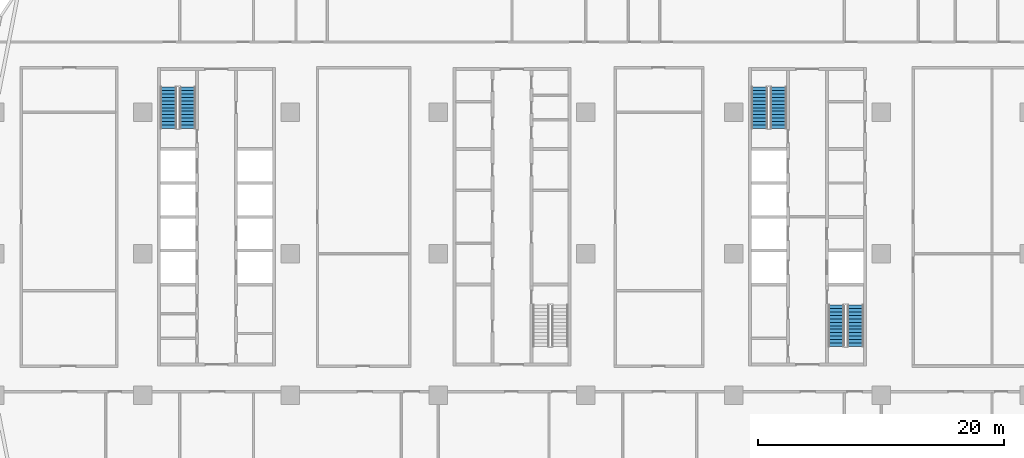
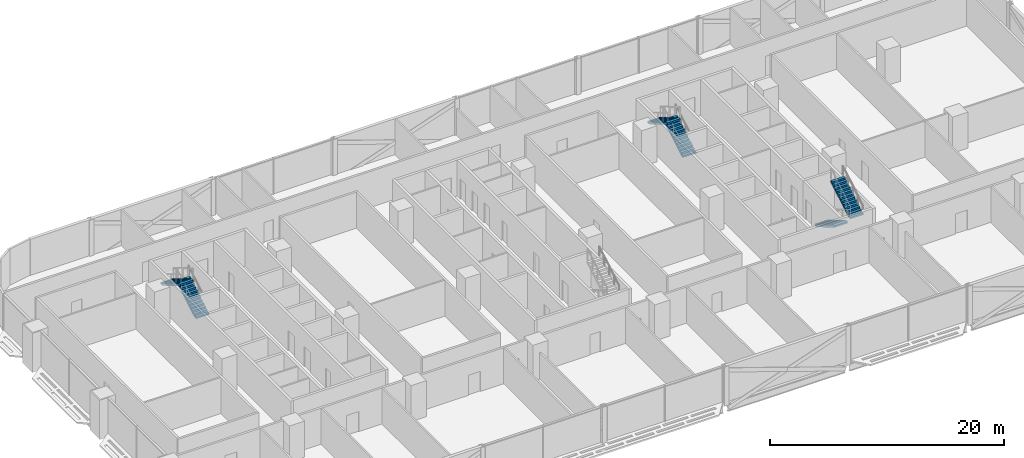
# One storey, part 18 of 29: 6 stair flights, 3 elements without a shape of their own.
"""IFC4 building model written with IfcOpenShell, lengths in metres."""

from ifc_helpers import new_model, si_unit, direction, frame, origin, place, context, subcontext, project, spatial, polyline, outline, extrude, material, type_object, element, aggregate, save


model = new_model("IFC4")

# Units and contexts
model_context = context("Model", 3, precision=1e-05, world=origin(), true_north=direction((0.0, 1.0)))
body_context = subcontext(model_context, "Body", "Model", "MODEL_VIEW")
ifc_project = project(units=[si_unit("LENGTHUNIT", "METRE"), si_unit("AREAUNIT", "SQUARE_METRE"), si_unit("VOLUMEUNIT", "CUBIC_METRE"), si_unit("PLANEANGLEUNIT", "RADIAN"), si_unit("MASSUNIT", "GRAM", prefix="KILO")], contexts=[model_context])

# Site, building, storey
site_placement = place(None, origin())
site = spatial("IfcSite", under=ifc_project, at=site_placement, CompositionType="ELEMENT")
building_placement = place(site_placement, origin())
building = spatial("IfcBuilding", under=site, at=building_placement, Name="Mahtab Terrace Research Tower", CompositionType="ELEMENT")
storey_placement = place(building_placement, frame((0.0, 0.0, 76.10009765625)))
storey = spatial("IfcBuildingStorey", under=building, at=storey_placement, Name="L17", CompositionType="ELEMENT", Elevation=76.10009765625)

# Stair, stair flights
ifc_material_1 = material(Name="Exit stair half-turn")
stair_type = type_object("IfcStairType", Name="Exit stair half-turn", PredefinedType="HALF_TURN_STAIR", material=ifc_material_1)
stair_1_placement = place(storey_placement, origin())
stair_1 = element("IfcStair", 1, at=stair_1_placement, inside=storey, type_object=stair_type, Name="L17 Protected exit stair ST1", PredefinedType="HALF_TURN_STAIR")
ifc_material_2 = material(Name="Concrete C40/50", Category="concrete")
stair_flight_type = type_object("IfcStairFlightType", Name="Exit stair flight 1300", PredefinedType="STRAIGHT", material=ifc_material_2)
stair_flight_1_placement = place(storey_placement, frame((-26.35009765625, 10.175048828125, 0.0), z_axis=(0.0, 0.0, 1.0), x_axis=(0.0, 1.0, 0.0)))
stair_flight_1 = element("IfcStairFlight", 2, at=stair_flight_1_placement, type_object=stair_flight_type, Name="ST1 flight 1", NumberOfRisers=13, NumberOfTreads=12, PredefinedType="STRAIGHT", RiserHeight=0.165384615, TreadLength=0.28, context=body_context, shape_type="SweptSolid", body=[
    extrude(outline(polyline([(0.0, 0.0), (0.0, 0.165283203125), (0.280029296875, 0.165283203125), (0.280029296875, 0.330810546875), (0.56005859375, 0.330810546875), (0.56005859375, 0.49609375), (0.840087890625, 0.49609375), (0.840087890625, 0.66162109375), (1.1201171875, 0.66162109375), (1.1201171875, 0.826904296875), (1.39990234375, 0.826904296875), (1.39990234375, 0.9921875), (1.679931640625, 0.9921875), (1.679931640625, 1.15771484375), (1.9599609375, 1.15771484375), (1.9599609375, 1.322998046875), (2.239990234375, 1.322998046875), (2.239990234375, 1.488525390625), (2.52001953125, 1.488525390625), (2.52001953125, 1.65380859375), (2.800048828125, 1.65380859375), (2.800048828125, 1.8193359375), (3.080078125, 1.8193359375), (3.080078125, 1.984619140625), (3.360107421875, 1.984619140625), (3.360107421875, 2.14990234375), (3.360107421875, 1.810546875), (0.294677734375, 0.0), (0.0, 0.0)])), frame((0.0, 0.64990234375, 0.0), z_axis=(0.0, -1.0, 0.0), x_axis=(1.0, 0.0, 0.0)), (0.0, 0.0, 1.0), 1.300048828125),
])
stair_flight_2_placement = place(storey_placement, frame((-27.89990234375, 13.534912109375, 2.14990234375), z_axis=(0.0, 0.0, 1.0), x_axis=(0.0, -1.0, 0.0)))
stair_flight_2 = element("IfcStairFlight", 3, at=stair_flight_2_placement, type_object=stair_flight_type, Name="ST1 flight 2", NumberOfRisers=13, NumberOfTreads=12, PredefinedType="STRAIGHT", RiserHeight=0.165384615, TreadLength=0.28, context=body_context, shape_type="SweptSolid", body=[
    extrude(outline(polyline([(0.0, 0.0), (0.0, 0.165283203125), (0.280029296875, 0.165283203125), (0.280029296875, 0.330810546875), (0.56005859375, 0.330810546875), (0.56005859375, 0.49609375), (0.840087890625, 0.49609375), (0.840087890625, 0.66162109375), (1.1201171875, 0.66162109375), (1.1201171875, 0.826904296875), (1.39990234375, 0.826904296875), (1.39990234375, 0.9921875), (1.679931640625, 0.9921875), (1.679931640625, 1.15771484375), (1.9599609375, 1.15771484375), (1.9599609375, 1.322998046875), (2.239990234375, 1.322998046875), (2.239990234375, 1.488525390625), (2.52001953125, 1.488525390625), (2.52001953125, 1.65380859375), (2.800048828125, 1.65380859375), (2.800048828125, 1.8193359375), (3.080078125, 1.8193359375), (3.080078125, 1.984619140625), (3.360107421875, 1.984619140625), (3.360107421875, 2.14990234375), (3.360107421875, 1.810546875), (0.294677734375, 0.0), (0.0, 0.0)])), frame((0.0, 0.64990234375, 0.0), z_axis=(0.0, -1.0, 0.0), x_axis=(1.0, 0.0, 0.0)), (0.0, 0.0, 1.0), 1.300048828125),
])
aggregate(stair_1, [stair_flight_1, stair_flight_2])

stair_2_placement = place(storey_placement, origin())
stair_2 = element("IfcStair", 4, at=stair_2_placement, inside=storey, type_object=stair_type, Name="L17 Protected exit stair ST3", PredefinedType="HALF_TURN_STAIR")
stair_flight_3_placement = place(storey_placement, frame((21.64990234375, 10.175048828125, 0.0), z_axis=(0.0, 0.0, 1.0), x_axis=(0.0, 1.0, 0.0)))
stair_flight_3 = element("IfcStairFlight", 5, at=stair_flight_3_placement, type_object=stair_flight_type, Name="ST3 flight 1", NumberOfRisers=13, NumberOfTreads=12, PredefinedType="STRAIGHT", RiserHeight=0.165384615, TreadLength=0.28, context=body_context, shape_type="SweptSolid", body=[
    extrude(outline(polyline([(0.0, 0.0), (0.0, 0.165283203125), (0.280029296875, 0.165283203125), (0.280029296875, 0.330810546875), (0.56005859375, 0.330810546875), (0.56005859375, 0.49609375), (0.840087890625, 0.49609375), (0.840087890625, 0.66162109375), (1.1201171875, 0.66162109375), (1.1201171875, 0.826904296875), (1.39990234375, 0.826904296875), (1.39990234375, 0.9921875), (1.679931640625, 0.9921875), (1.679931640625, 1.15771484375), (1.9599609375, 1.15771484375), (1.9599609375, 1.322998046875), (2.239990234375, 1.322998046875), (2.239990234375, 1.488525390625), (2.52001953125, 1.488525390625), (2.52001953125, 1.65380859375), (2.800048828125, 1.65380859375), (2.800048828125, 1.8193359375), (3.080078125, 1.8193359375), (3.080078125, 1.984619140625), (3.360107421875, 1.984619140625), (3.360107421875, 2.14990234375), (3.360107421875, 1.810546875), (0.294677734375, 0.0), (0.0, 0.0)])), frame((0.0, 0.64990234375, 0.0), z_axis=(0.0, -1.0, 0.0), x_axis=(1.0, 0.0, 0.0)), (0.0, 0.0, 1.0), 1.300048828125),
])
stair_flight_4_placement = place(storey_placement, frame((20.10009765625, 13.534912109375, 2.14990234375), z_axis=(0.0, 0.0, 1.0), x_axis=(0.0, -1.0, 0.0)))
stair_flight_4 = element("IfcStairFlight", 6, at=stair_flight_4_placement, type_object=stair_flight_type, Name="ST3 flight 2", NumberOfRisers=13, NumberOfTreads=12, PredefinedType="STRAIGHT", RiserHeight=0.165384615, TreadLength=0.28, context=body_context, shape_type="SweptSolid", body=[
    extrude(outline(polyline([(0.0, 0.0), (0.0, 0.165283203125), (0.280029296875, 0.165283203125), (0.280029296875, 0.330810546875), (0.56005859375, 0.330810546875), (0.56005859375, 0.49609375), (0.840087890625, 0.49609375), (0.840087890625, 0.66162109375), (1.1201171875, 0.66162109375), (1.1201171875, 0.826904296875), (1.39990234375, 0.826904296875), (1.39990234375, 0.9921875), (1.679931640625, 0.9921875), (1.679931640625, 1.15771484375), (1.9599609375, 1.15771484375), (1.9599609375, 1.322998046875), (2.239990234375, 1.322998046875), (2.239990234375, 1.488525390625), (2.52001953125, 1.488525390625), (2.52001953125, 1.65380859375), (2.800048828125, 1.65380859375), (2.800048828125, 1.8193359375), (3.080078125, 1.8193359375), (3.080078125, 1.984619140625), (3.360107421875, 1.984619140625), (3.360107421875, 2.14990234375), (3.360107421875, 1.810546875), (0.294677734375, 0.0), (0.0, 0.0)])), frame((0.0, 0.64990234375, 0.0), z_axis=(0.0, -1.0, 0.0), x_axis=(1.0, 0.0, 0.0)), (0.0, 0.0, 1.0), 1.300048828125),
])
aggregate(stair_2, [stair_flight_3, stair_flight_4])

stair_3_placement = place(storey_placement, origin())
stair_3 = element("IfcStair", 7, at=stair_3_placement, inside=storey, type_object=stair_type, Name="L17 Protected exit stair ST4", PredefinedType="HALF_TURN_STAIR")
stair_flight_5_placement = place(storey_placement, frame((26.35009765625, -4.175048828125, 0.0), z_axis=(0.0, 0.0, 1.0), x_axis=(0.0, -1.0, 0.0)))
stair_flight_5 = element("IfcStairFlight", 8, at=stair_flight_5_placement, type_object=stair_flight_type, Name="ST4 flight 1", NumberOfRisers=13, NumberOfTreads=12, PredefinedType="STRAIGHT", RiserHeight=0.165384615, TreadLength=0.28, context=body_context, shape_type="SweptSolid", body=[
    extrude(outline(polyline([(0.0, 0.0), (0.0, 0.165283203125), (0.280029296875, 0.165283203125), (0.280029296875, 0.330810546875), (0.56005859375, 0.330810546875), (0.56005859375, 0.49609375), (0.840087890625, 0.49609375), (0.840087890625, 0.66162109375), (1.1201171875, 0.66162109375), (1.1201171875, 0.826904296875), (1.39990234375, 0.826904296875), (1.39990234375, 0.9921875), (1.679931640625, 0.9921875), (1.679931640625, 1.15771484375), (1.9599609375, 1.15771484375), (1.9599609375, 1.322998046875), (2.239990234375, 1.322998046875), (2.239990234375, 1.488525390625), (2.52001953125, 1.488525390625), (2.52001953125, 1.65380859375), (2.800048828125, 1.65380859375), (2.800048828125, 1.8193359375), (3.080078125, 1.8193359375), (3.080078125, 1.984619140625), (3.360107421875, 1.984619140625), (3.360107421875, 2.14990234375), (3.360107421875, 1.810546875), (0.294677734375, 0.0), (0.0, 0.0)])), frame((0.0, 0.64990234375, 0.0), z_axis=(0.0, -1.0, 0.0), x_axis=(1.0, 0.0, 0.0)), (0.0, 0.0, 1.0), 1.300048828125),
])
stair_flight_6_placement = place(storey_placement, frame((27.89990234375, -7.534912109375, 2.14990234375), z_axis=(0.0, 0.0, 1.0), x_axis=(0.0, 1.0, 0.0)))
stair_flight_6 = element("IfcStairFlight", 9, at=stair_flight_6_placement, type_object=stair_flight_type, Name="ST4 flight 2", NumberOfRisers=13, NumberOfTreads=12, PredefinedType="STRAIGHT", RiserHeight=0.165384615, TreadLength=0.28, context=body_context, shape_type="SweptSolid", body=[
    extrude(outline(polyline([(0.0, 0.0), (0.0, 0.165283203125), (0.280029296875, 0.165283203125), (0.280029296875, 0.330810546875), (0.56005859375, 0.330810546875), (0.56005859375, 0.49609375), (0.840087890625, 0.49609375), (0.840087890625, 0.66162109375), (1.1201171875, 0.66162109375), (1.1201171875, 0.826904296875), (1.39990234375, 0.826904296875), (1.39990234375, 0.9921875), (1.679931640625, 0.9921875), (1.679931640625, 1.15771484375), (1.9599609375, 1.15771484375), (1.9599609375, 1.322998046875), (2.239990234375, 1.322998046875), (2.239990234375, 1.488525390625), (2.52001953125, 1.488525390625), (2.52001953125, 1.65380859375), (2.800048828125, 1.65380859375), (2.800048828125, 1.8193359375), (3.080078125, 1.8193359375), (3.080078125, 1.984619140625), (3.360107421875, 1.984619140625), (3.360107421875, 2.14990234375), (3.360107421875, 1.810546875), (0.294677734375, 0.0), (0.0, 0.0)])), frame((0.0, 0.64990234375, 0.0), z_axis=(0.0, -1.0, 0.0), x_axis=(1.0, 0.0, 0.0)), (0.0, 0.0, 1.0), 1.300048828125),
])
aggregate(stair_3, [stair_flight_5, stair_flight_6])

save(model, "model.ifc")
